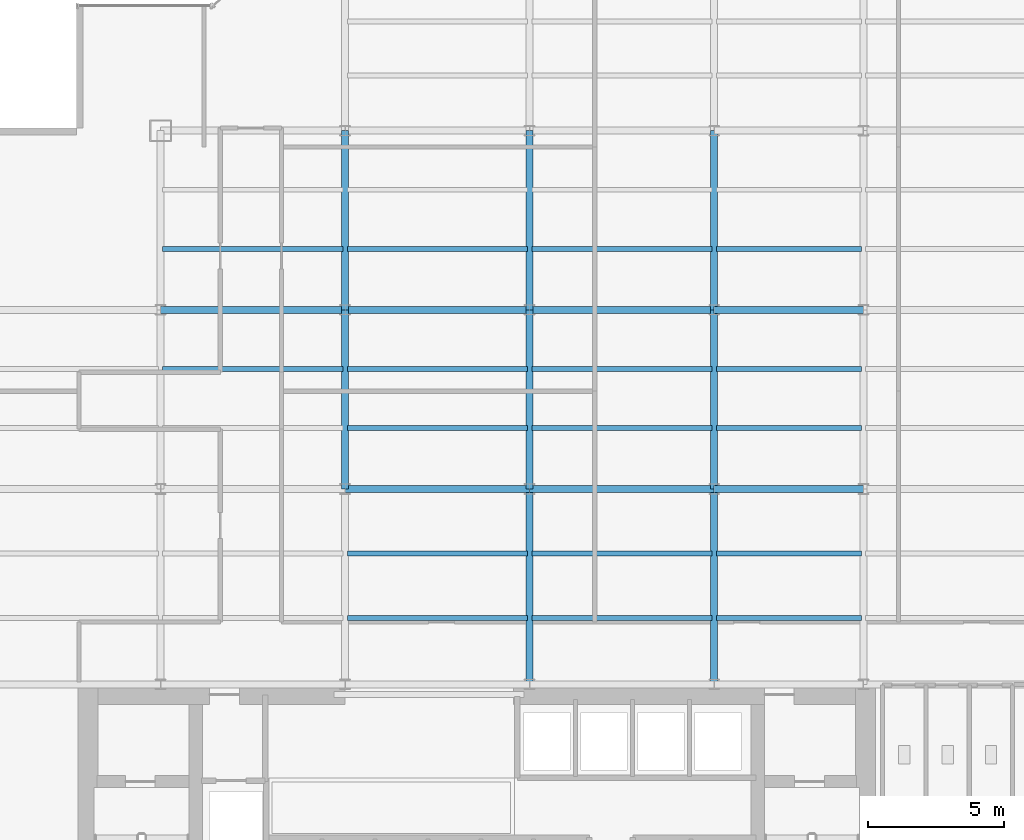
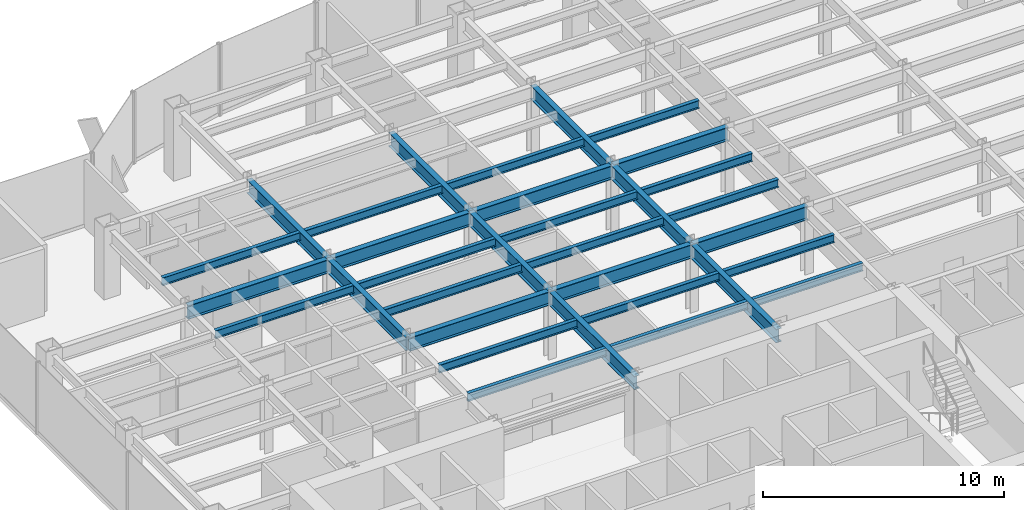
# One storey, part 7 of 26: 32 beams.
"""IFC4 building model written with IfcOpenShell, lengths in metres."""

from ifc_helpers import new_model, si_unit, derived_unit, direction, frame, origin, origin_2d, place, context, subcontext, project, spatial, i_section, extrude, source, transform, mapped, material, material_profile, profile_set, type_object, element, save


model = new_model("IFC4")

# Units and contexts
model_context = context("Model", 3, precision=1e-05, world=origin(), true_north=direction((0.0, 1.0)))
body_context = subcontext(model_context, "Body", "Model", "MODEL_VIEW")
ifc_project = project(units=[si_unit("LENGTHUNIT", "METRE"), si_unit("AREAUNIT", "SQUARE_METRE"), si_unit("VOLUMEUNIT", "CUBIC_METRE"), si_unit("PLANEANGLEUNIT", "RADIAN"), si_unit("MASSUNIT", "GRAM", prefix="KILO"), derived_unit("THERMALTRANSMITTANCEUNIT", [(si_unit("POWERUNIT", "WATT"), 1), (si_unit("LENGTHUNIT", "METRE"), -2), (si_unit("THERMODYNAMICTEMPERATUREUNIT", "KELVIN"), -1)])], contexts=[model_context])

# Site, building, storey
site_placement = place(None, origin())
site = spatial("IfcSite", under=ifc_project, at=site_placement, CompositionType="ELEMENT")
building_placement = place(site_placement, origin())
building = spatial("IfcBuilding", under=site, at=building_placement, Name="Skarnbrae Concourse Arena and Tower", CompositionType="ELEMENT")
storey_placement = place(building_placement, frame((0.0, 0.0, 106.89990234375)))
storey = spatial("IfcBuildingStorey", under=building, at=storey_placement, Name="L26", CompositionType="ELEMENT", Elevation=106.89990234375)

# Beams
ifc_material = material(Name="Steel CSA G40.21 350W", Category="steel")
ifc_material_profile_1 = material_profile(ifc_material, i_section(OverallWidth=0.256103515625, OverallDepth=0.693115234375, WebThickness=0.014404296875, FlangeThickness=0.023681640625, at=origin_2d()), Name="W690X170")
ifc_profile_set_1 = profile_set([ifc_material_profile_1], Name="Steel CSA G40.21 350W")
beam_type_1 = type_object("IfcBeamType", Name="BM-GIRD-W690X170", PredefinedType="BEAM", material=ifc_profile_set_1)
shared_shape_1 = source(origin(), body_context, "Body", "SweptSolid", [
    extrude(i_section(OverallWidth=0.256103515625, OverallDepth=0.693115234375, WebThickness=0.014404296875, FlangeThickness=0.023681640625, at=origin_2d()), origin(), (0.0, 0.0, 1.0), 6.60009765625),
])
for number, where, z_axis, x_axis, name in (
    (1, (14.39990234375, 21.199951171875, 3.0537109375), (0.0, 1.0, 0.0), (-1.0, 0.0, 0.0), "L26 Primary N-S girder X14.4-2"),
    (2, (21.199951171875, 21.199951171875, 3.0537109375), (0.0, 1.0, 0.0), (-1.0, 0.0, 0.0), "L26 Primary N-S girder X21.2-2"),
    (3, (28.0, 21.199951171875, 3.0537109375), (0.0, 1.0, 0.0), (-1.0, 0.0, 0.0), "L26 Primary N-S girder X28.0-2"),
):
    element("IfcBeam", number, at=place(storey_placement, frame(where, z_axis=z_axis, x_axis=x_axis)), inside=storey, type_object=beam_type_1, Name=name, PredefinedType="BEAM", context=body_context, shape_type="MappedRepresentation", body=[
        mapped(shared_shape_1, transform((0.0, 0.0, 0.0))),
    ])
shared_shape_2 = source(origin(), body_context, "Body", "SweptSolid", [
    extrude(i_section(OverallWidth=0.256103515625, OverallDepth=0.693115234375, WebThickness=0.014404296875, FlangeThickness=0.023681640625, at=origin_2d()), origin(), (0.0, 0.0, 1.0), 6.7998046875),
])
beam_placement = place(storey_placement, frame((7.60009765625, 27.800048828125, 3.0537109375), z_axis=(1.0, 0.0, 0.0), x_axis=(0.0, 1.0, 0.0)))
element("IfcBeam", 4, at=beam_placement, inside=storey, type_object=beam_type_1, Name="L26 Primary E-W girder Y27.8-2", PredefinedType="BEAM", context=body_context, shape_type="MappedRepresentation", body=[
    mapped(shared_shape_2, transform((0.0, 0.0, 0.0))),
])
shared_shape_3 = source(origin(), body_context, "Body", "SweptSolid", [
    extrude(i_section(OverallWidth=0.256103515625, OverallDepth=0.693115234375, WebThickness=0.014404296875, FlangeThickness=0.023681640625, at=origin_2d()), origin(), (0.0, 0.0, 1.0), 6.800048828125),
])
for number, where, z_axis, x_axis, name in (
    (5, (14.39990234375, 21.199951171875, 3.0537109375), (1.0, 0.0, 0.0), (0.0, 1.0, 0.0), "L26 Primary E-W girder Y21.2-3"),
    (6, (21.199951171875, 21.199951171875, 3.0537109375), (1.0, 0.0, 0.0), (0.0, 1.0, 0.0), "L26 Primary E-W girder Y21.2-4"),
    (7, (14.39990234375, 27.800048828125, 3.0537109375), (1.0, 0.0, 0.0), (0.0, 1.0, 0.0), "L26 Primary E-W girder Y27.8-3"),
    (8, (21.199951171875, 27.800048828125, 3.0537109375), (1.0, 0.0, 0.0), (0.0, 1.0, 0.0), "L26 Primary E-W girder Y27.8-4"),
):
    element("IfcBeam", number, at=place(storey_placement, frame(where, z_axis=z_axis, x_axis=x_axis)), inside=storey, type_object=beam_type_1, Name=name, PredefinedType="BEAM", context=body_context, shape_type="MappedRepresentation", body=[
        mapped(shared_shape_3, transform((0.0, 0.0, 0.0))),
    ])
shared_shape_4 = source(origin(), body_context, "Body", "SweptSolid", [
    extrude(i_section(OverallWidth=0.256103515625, OverallDepth=0.693115234375, WebThickness=0.014404296875, FlangeThickness=0.023681640625, at=origin_2d()), origin(), (0.0, 0.0, 1.0), 5.5),
])
for number, where, z_axis, x_axis, name in (
    (9, (28.0, 21.199951171875, 3.0537109375), (1.0, 0.0, 0.0), (0.0, 1.0, 0.0), "L26 Primary E-W girder Y21.2-5"),
    (10, (28.0, 27.800048828125, 3.0537109375), (1.0, 0.0, 0.0), (0.0, 1.0, 0.0), "L26 Primary E-W girder Y27.8-5"),
):
    element("IfcBeam", number, at=place(storey_placement, frame(where, z_axis=z_axis, x_axis=x_axis)), inside=storey, type_object=beam_type_1, Name=name, PredefinedType="BEAM", context=body_context, shape_type="MappedRepresentation", body=[
        mapped(shared_shape_4, transform((0.0, 0.0, 0.0))),
    ])
shared_shape_5 = source(origin(), body_context, "Body", "SweptSolid", [
    extrude(i_section(OverallWidth=0.256103515625, OverallDepth=0.693115234375, WebThickness=0.014404296875, FlangeThickness=0.023681640625, at=origin_2d()), origin(), (0.0, 0.0, 1.0), 7.199951171875),
])
for number, where, z_axis, x_axis, name in (
    (11, (21.199951171875, 14.0, 3.0537109375), (0.0, 1.0, 0.0), (-1.0, 0.0, 0.0), "L26 Primary N-S girder X21.2-1"),
    (12, (28.0, 14.0, 3.0537109375), (0.0, 1.0, 0.0), (-1.0, 0.0, 0.0), "L26 Primary N-S girder X28.0-1"),
):
    element("IfcBeam", number, at=place(storey_placement, frame(where, z_axis=z_axis, x_axis=x_axis)), inside=storey, type_object=beam_type_1, Name=name, PredefinedType="BEAM", context=body_context, shape_type="MappedRepresentation", body=[
        mapped(shared_shape_5, transform((0.0, 0.0, 0.0))),
    ])
shared_shape_6 = source(origin(), body_context, "Body", "SweptSolid", [
    extrude(i_section(OverallWidth=0.256103515625, OverallDepth=0.693115234375, WebThickness=0.014404296875, FlangeThickness=0.023681640625, at=origin_2d()), origin(), (0.0, 0.0, 1.0), 6.599853515625),
])
for number, where, z_axis, x_axis, name in (
    (13, (14.39990234375, 27.800048828125, 3.0537109375), (0.0, 1.0, 0.0), (-1.0, 0.0, 0.0), "L26 Primary N-S girder X14.4-3"),
    (14, (21.199951171875, 27.800048828125, 3.0537109375), (0.0, 1.0, 0.0), (-1.0, 0.0, 0.0), "L26 Primary N-S girder X21.2-3"),
    (15, (28.0, 27.800048828125, 3.0537109375), (0.0, 1.0, 0.0), (-1.0, 0.0, 0.0), "L26 Primary N-S girder X28.0-3"),
):
    element("IfcBeam", number, at=place(storey_placement, frame(where, z_axis=z_axis, x_axis=x_axis)), inside=storey, type_object=beam_type_1, Name=name, PredefinedType="BEAM", context=body_context, shape_type="MappedRepresentation", body=[
        mapped(shared_shape_6, transform((0.0, 0.0, 0.0))),
    ])
ifc_material_profile_2 = material_profile(ifc_material, i_section(OverallWidth=0.177978515625, OverallDepth=0.406982421875, WebThickness=0.0078125, FlangeThickness=0.0126953125, at=origin_2d()), Name="W410X60")
ifc_profile_set_2 = profile_set([ifc_material_profile_2], Name="Steel CSA G40.21 350W")
beam_type_2 = type_object("IfcBeamType", Name="BM-JOIST-W410X60", PredefinedType="JOIST", material=ifc_profile_set_2)
shared_shape_7 = source(origin(), body_context, "Body", "SweptSolid", [
    extrude(i_section(OverallWidth=0.177978515625, OverallDepth=0.406982421875, WebThickness=0.0078125, FlangeThickness=0.0126953125, at=origin_2d()), origin(), (0.0, 0.0, 1.0), 6.64013671875),
])
for number, where, z_axis, x_axis, name in (
    (16, (14.47998046875, 16.447998046875, 3.196533203125), (1.0, 0.0, 0.0), (0.0, 1.0, 0.0), "L26 Secondary floor joist 1.1.3"),
    (17, (14.47998046875, 18.823974609375, 3.196533203125), (1.0, 0.0, 0.0), (0.0, 1.0, 0.0), "L26 Secondary floor joist 1.2.3"),
    (18, (14.47998046875, 23.444091796875, 3.196533203125), (1.0, 0.0, 0.0), (0.0, 1.0, 0.0), "L26 Secondary floor joist 2.1.3"),
    (19, (7.679931640625, 25.6220703125, 3.196533203125), (1.0, 0.0, 0.0), (0.0, 1.0, 0.0), "L26 Secondary floor joist 2.2.2"),
    (20, (14.47998046875, 25.6220703125, 3.196533203125), (1.0, 0.0, 0.0), (0.0, 1.0, 0.0), "L26 Secondary floor joist 2.2.3"),
    (21, (7.679931640625, 30.0439453125, 3.196533203125), (1.0, 0.0, 0.0), (0.0, 1.0, 0.0), "L26 Secondary floor joist 3.1.1"),
    (22, (14.47998046875, 30.0439453125, 3.196533203125), (1.0, 0.0, 0.0), (0.0, 1.0, 0.0), "L26 Secondary floor joist 3.1.2"),
):
    element("IfcBeam", number, at=place(storey_placement, frame(where, z_axis=z_axis, x_axis=x_axis)), inside=storey, type_object=beam_type_2, Name=name, PredefinedType="JOIST", context=body_context, shape_type="MappedRepresentation", body=[
        mapped(shared_shape_7, transform((0.0, 0.0, 0.0))),
    ])
shared_shape_8 = source(origin(), body_context, "Body", "SweptSolid", [
    extrude(i_section(OverallWidth=0.177978515625, OverallDepth=0.406982421875, WebThickness=0.0078125, FlangeThickness=0.0126953125, at=origin_2d()), origin(), (0.0, 0.0, 1.0), 6.639892578125),
])
for number, where, z_axis, x_axis, name in (
    (23, (21.280029296875, 16.447998046875, 3.196533203125), (1.0, 0.0, 0.0), (0.0, 1.0, 0.0), "L26 Secondary floor joist 1.1.4"),
    (24, (21.280029296875, 18.823974609375, 3.196533203125), (1.0, 0.0, 0.0), (0.0, 1.0, 0.0), "L26 Secondary floor joist 1.2.4"),
    (25, (21.280029296875, 23.444091796875, 3.196533203125), (1.0, 0.0, 0.0), (0.0, 1.0, 0.0), "L26 Secondary floor joist 2.1.4"),
    (26, (21.280029296875, 25.6220703125, 3.196533203125), (1.0, 0.0, 0.0), (0.0, 1.0, 0.0), "L26 Secondary floor joist 2.2.4"),
    (27, (21.280029296875, 30.0439453125, 3.196533203125), (1.0, 0.0, 0.0), (0.0, 1.0, 0.0), "L26 Secondary floor joist 3.1.3"),
):
    element("IfcBeam", number, at=place(storey_placement, frame(where, z_axis=z_axis, x_axis=x_axis)), inside=storey, type_object=beam_type_2, Name=name, PredefinedType="JOIST", context=body_context, shape_type="MappedRepresentation", body=[
        mapped(shared_shape_8, transform((0.0, 0.0, 0.0))),
    ])
shared_shape_9 = source(origin(), body_context, "Body", "SweptSolid", [
    extrude(i_section(OverallWidth=0.177978515625, OverallDepth=0.406982421875, WebThickness=0.0078125, FlangeThickness=0.0126953125, at=origin_2d()), origin(), (0.0, 0.0, 1.0), 5.33984375),
])
for number, where, z_axis, x_axis, name in (
    (28, (28.080078125, 16.447998046875, 3.196533203125), (1.0, 0.0, 0.0), (0.0, 1.0, 0.0), "L26 Secondary floor joist 1.1.5"),
    (29, (28.080078125, 18.823974609375, 3.196533203125), (1.0, 0.0, 0.0), (0.0, 1.0, 0.0), "L26 Secondary floor joist 1.2.5"),
    (30, (28.080078125, 23.444091796875, 3.196533203125), (1.0, 0.0, 0.0), (0.0, 1.0, 0.0), "L26 Secondary floor joist 2.1.5"),
    (31, (28.080078125, 25.6220703125, 3.196533203125), (1.0, 0.0, 0.0), (0.0, 1.0, 0.0), "L26 Secondary floor joist 2.2.5"),
    (32, (28.080078125, 30.0439453125, 3.196533203125), (1.0, 0.0, 0.0), (0.0, 1.0, 0.0), "L26 Secondary floor joist 3.1.4"),
):
    element("IfcBeam", number, at=place(storey_placement, frame(where, z_axis=z_axis, x_axis=x_axis)), inside=storey, type_object=beam_type_2, Name=name, PredefinedType="JOIST", context=body_context, shape_type="MappedRepresentation", body=[
        mapped(shared_shape_9, transform((0.0, 0.0, 0.0))),
    ])

save(model, "model.ifc")
